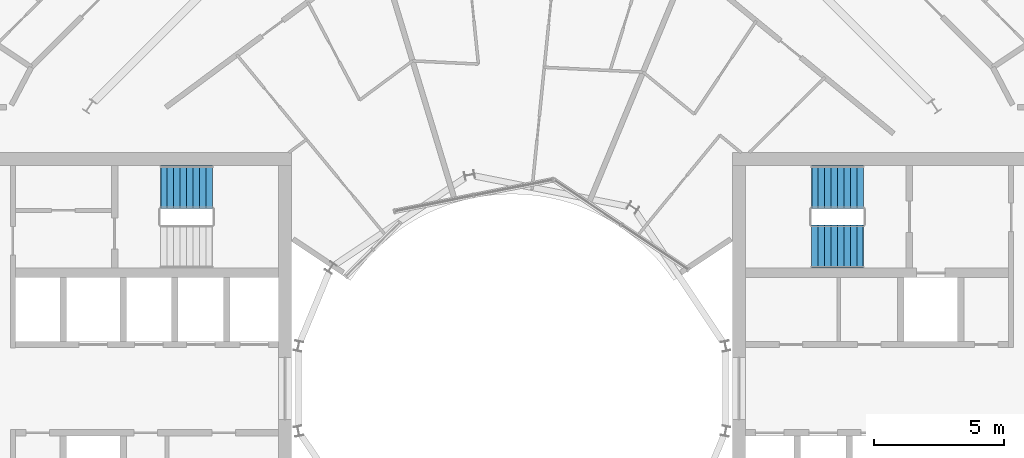
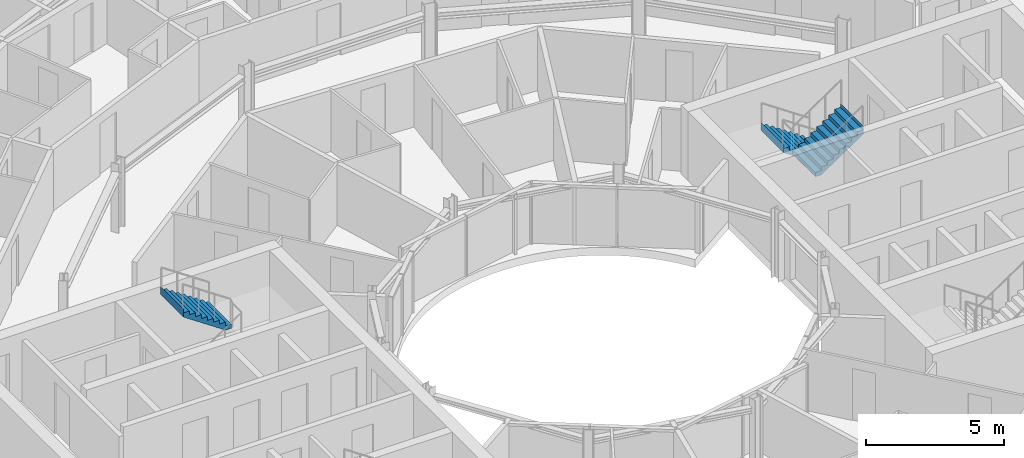
# One storey, part 25 of 27: 3 stair flights, 2 elements without a shape of their own.
"""IFC4 building model written with IfcOpenShell, lengths in metres."""

from ifc_helpers import new_model, si_unit, direction, frame, origin, place, context, subcontext, project, spatial, triangles, material, type_object, element, aggregate, save


model = new_model("IFC4")

# Units and contexts
model_context = context("Model", 3, precision=1e-05, world=origin(), true_north=direction((0.0, 1.0)))
body_context = subcontext(model_context, "Body", "Model", "MODEL_VIEW")
ifc_project = project(units=[si_unit("LENGTHUNIT", "METRE"), si_unit("AREAUNIT", "SQUARE_METRE"), si_unit("VOLUMEUNIT", "CUBIC_METRE"), si_unit("PLANEANGLEUNIT", "RADIAN"), si_unit("MASSUNIT", "GRAM", prefix="KILO")], contexts=[model_context])

# Site, building, storey
site_placement = place(None, origin())
site = spatial("IfcSite", under=ifc_project, at=site_placement, CompositionType="ELEMENT")
building_placement = place(site_placement, origin())
building = spatial("IfcBuilding", under=site, at=building_placement, Name="Maasbend Ring Residences", CompositionType="ELEMENT")
storey_placement = place(building_placement, frame((0.0, 0.0, 170.75)))
storey = spatial("IfcBuildingStorey", under=building, at=storey_placement, Name="L49", CompositionType="ELEMENT", Elevation=170.75)

# Stair, stair flights
ifc_material_1 = material(Name="Concrete C40/50", Category="concrete")
stair_type = type_object("IfcStairType", Name="CORE STAIR 18 RISERS", PredefinedType="HALF_TURN_STAIR", material=ifc_material_1)
stair_1_placement = place(storey_placement, origin())
stair_1 = element("IfcStair", 1, at=stair_1_placement, inside=storey, type_object=stair_type, Name="L49 Exit stair ST-E1", PredefinedType="HALF_TURN_STAIR")
ifc_material_2 = material(Name="Concrete C40/50", Category="concrete")
stair_flight_type = type_object("IfcStairFlightType", Name="CORE STAIR FLIGHT 1650", PredefinedType="STRAIGHT", material=ifc_material_2)
stair_flight_1_placement = place(storey_placement, frame((13.550048828125, 7.77490234375, 0.0), z_axis=(0.0, 0.0, 1.0), x_axis=(-1.0, 0.0, 0.0)))
stair_flight_1 = element("IfcStairFlight", 2, at=stair_flight_1_placement, type_object=stair_flight_type, Name="ST-E1 flight 1", NumberOfRisers=9, NumberOfTreads=8, PredefinedType="STRAIGHT", RiserHeight=0.169444444, TreadLength=0.25, context=body_context, shape_type="Tessellation", body=[
    triangles([(0.24072265625, 0.824951171875, -0.02001953125), (2.0029296875, 0.824951171875, 1.174560546875), (2.0029296875, 0.824951171875, 1.52490234375), (1.989990234375, 0.824951171875, 1.35546875), (1.75, 0.824951171875, 1.35546875), (1.75, 0.824951171875, 1.18603515625), (1.5, 0.824951171875, 1.18603515625), (1.5, 0.824951171875, 1.0166015625), (1.25, 0.824951171875, 1.0166015625), (1.25, 0.824951171875, 0.84716796875), (1.0, 0.824951171875, 0.84716796875), (1.0, 0.824951171875, 0.677734375), (0.75, 0.824951171875, 0.677734375), (0.75, 0.824951171875, 0.50830078125), (0.5, 0.824951171875, 0.50830078125), (0.5, 0.824951171875, 0.3388671875), (0.25, 0.824951171875, 0.3388671875), (0.25, 0.824951171875, 0.16943359375), (0.0, 0.824951171875, 0.16943359375), (0.0, 0.824951171875, 0.0), (-0.0029296875, 0.824951171875, 0.0), (-0.0029296875, 0.824951171875, -0.02001953125), (0.24072265625, 0.27490234375, -0.02001953125), (2.0029296875, 0.27490234375, 1.174560546875), (2.0029296875, 0.27490234375, 1.52490234375), (1.989990234375, 0.27490234375, 1.35546875), (1.75, 0.27490234375, 1.35546875), (1.75, 0.27490234375, 1.18603515625), (1.5, 0.27490234375, 1.18603515625), (1.5, 0.27490234375, 1.0166015625), (1.25, 0.27490234375, 1.0166015625), (1.25, 0.27490234375, 0.84716796875), (1.0, 0.27490234375, 0.84716796875), (1.0, 0.27490234375, 0.677734375), (0.75, 0.27490234375, 0.677734375), (0.75, 0.27490234375, 0.50830078125), (0.5, 0.27490234375, 0.50830078125), (0.5, 0.27490234375, 0.3388671875), (0.25, 0.27490234375, 0.3388671875), (0.25, 0.27490234375, 0.16943359375), (0.0, 0.27490234375, 0.16943359375), (0.0, 0.27490234375, 0.0), (-0.0029296875, 0.27490234375, 0.0), (-0.0029296875, 0.27490234375, -0.02001953125), (0.24072265625, -0.27490234375, -0.02001953125), (2.0029296875, -0.27490234375, 1.174560546875), (2.0029296875, -0.27490234375, 1.52490234375), (1.989990234375, -0.27490234375, 1.35546875), (1.75, -0.27490234375, 1.35546875), (1.75, -0.27490234375, 1.18603515625), (1.5, -0.27490234375, 1.18603515625), (1.5, -0.27490234375, 1.0166015625), (1.25, -0.27490234375, 1.0166015625), (1.25, -0.27490234375, 0.84716796875), (1.0, -0.27490234375, 0.84716796875), (1.0, -0.27490234375, 0.677734375), (0.75, -0.27490234375, 0.677734375), (0.75, -0.27490234375, 0.50830078125), (0.5, -0.27490234375, 0.50830078125), (0.5, -0.27490234375, 0.3388671875), (0.25, -0.27490234375, 0.3388671875), (0.25, -0.27490234375, 0.16943359375), (0.0, -0.27490234375, 0.16943359375), (0.0, -0.27490234375, 0.0), (-0.0029296875, -0.27490234375, 0.0), (-0.0029296875, -0.27490234375, -0.02001953125), (0.24072265625, -0.824951171875, -0.02001953125), (2.0029296875, -0.824951171875, 1.174560546875), (2.0029296875, -0.824951171875, 1.52490234375), (1.989990234375, -0.824951171875, 1.35546875), (1.75, -0.824951171875, 1.35546875), (1.75, -0.824951171875, 1.18603515625), (1.5, -0.824951171875, 1.18603515625), (1.5, -0.824951171875, 1.0166015625), (1.25, -0.824951171875, 1.0166015625), (1.25, -0.824951171875, 0.84716796875), (1.0, -0.824951171875, 0.84716796875), (1.0, -0.824951171875, 0.677734375), (0.75, -0.824951171875, 0.677734375), (0.75, -0.824951171875, 0.50830078125), (0.5, -0.824951171875, 0.50830078125), (0.5, -0.824951171875, 0.3388671875), (0.25, -0.824951171875, 0.3388671875), (0.25, -0.824951171875, 0.16943359375), (0.0, -0.824951171875, 0.16943359375), (0.0, -0.824951171875, 0.0), (-0.0029296875, -0.824951171875, 0.0), (-0.0029296875, -0.824951171875, -0.02001953125)], [[1, 2, 24], [1, 24, 23], [23, 24, 46], [23, 46, 45], [45, 46, 68], [45, 68, 67], [2, 3, 25], [2, 25, 24], [24, 25, 47], [24, 47, 46], [46, 47, 69], [46, 69, 68], [3, 4, 26], [3, 26, 25], [25, 26, 48], [25, 48, 47], [47, 48, 70], [47, 70, 69], [4, 5, 27], [4, 27, 26], [26, 27, 49], [26, 49, 48], [48, 49, 71], [48, 71, 70], [5, 6, 28], [5, 28, 27], [27, 28, 50], [27, 50, 49], [49, 50, 72], [49, 72, 71], [6, 7, 29], [6, 29, 28], [28, 29, 51], [28, 51, 50], [50, 51, 73], [50, 73, 72], [7, 8, 30], [7, 30, 29], [29, 30, 52], [29, 52, 51], [51, 52, 74], [51, 74, 73], [8, 9, 31], [8, 31, 30], [30, 31, 53], [30, 53, 52], [52, 53, 75], [52, 75, 74], [9, 10, 32], [9, 32, 31], [31, 32, 54], [31, 54, 53], [53, 54, 76], [53, 76, 75], [10, 11, 33], [10, 33, 32], [32, 33, 55], [32, 55, 54], [54, 55, 77], [54, 77, 76], [11, 12, 34], [11, 34, 33], [33, 34, 56], [33, 56, 55], [55, 56, 78], [55, 78, 77], [12, 13, 35], [12, 35, 34], [34, 35, 57], [34, 57, 56], [56, 57, 79], [56, 79, 78], [13, 14, 36], [13, 36, 35], [35, 36, 58], [35, 58, 57], [57, 58, 80], [57, 80, 79], [14, 15, 37], [14, 37, 36], [36, 37, 59], [36, 59, 58], [58, 59, 81], [58, 81, 80], [15, 16, 38], [15, 38, 37], [37, 38, 60], [37, 60, 59], [59, 60, 82], [59, 82, 81], [16, 17, 39], [16, 39, 38], [38, 39, 61], [38, 61, 60], [60, 61, 83], [60, 83, 82], [17, 18, 40], [17, 40, 39], [39, 40, 62], [39, 62, 61], [61, 62, 84], [61, 84, 83], [18, 19, 41], [18, 41, 40], [40, 41, 63], [40, 63, 62], [62, 63, 85], [62, 85, 84], [19, 20, 42], [19, 42, 41], [41, 42, 64], [41, 64, 63], [63, 64, 86], [63, 86, 85], [20, 21, 43], [20, 43, 42], [42, 43, 65], [42, 65, 64], [64, 65, 87], [64, 87, 86], [21, 22, 44], [21, 44, 43], [43, 44, 66], [43, 66, 65], [65, 66, 88], [65, 88, 87], [22, 1, 23], [22, 23, 44], [44, 23, 45], [44, 45, 66], [66, 45, 67], [66, 67, 88], [22, 2, 1], [2, 4, 3], [2, 5, 4], [2, 6, 5], [22, 6, 2], [6, 8, 7], [22, 8, 6], [8, 10, 9], [22, 10, 8], [10, 12, 11], [22, 12, 10], [12, 14, 13], [22, 14, 12], [14, 16, 15], [22, 16, 14], [16, 18, 17], [22, 18, 16], [18, 20, 19], [22, 20, 18], [20, 22, 21], [88, 67, 68], [68, 69, 70], [68, 70, 71], [68, 71, 72], [88, 68, 72], [72, 73, 74], [88, 72, 74], [74, 75, 76], [88, 74, 76], [76, 77, 78], [88, 76, 78], [78, 79, 80], [88, 78, 80], [80, 81, 82], [88, 80, 82], [82, 83, 84], [88, 82, 84], [84, 85, 86], [88, 84, 86], [86, 87, 88]], closed=True),
])
stair_flight_2_placement = place(storey_placement, frame((11.550048828125, 5.47509765625, 1.52490234375), z_axis=(0.0, 0.0, 1.0), x_axis=(1.0, 0.0, 0.0)))
stair_flight_2 = element("IfcStairFlight", 3, at=stair_flight_2_placement, type_object=stair_flight_type, Name="ST-E1 flight 2", NumberOfRisers=9, NumberOfTreads=8, PredefinedType="STRAIGHT", RiserHeight=0.169444444, TreadLength=0.25, context=body_context, shape_type="Tessellation", body=[
    triangles([(0.24072265625, 0.824951171875, -0.02001953125), (2.0029296875, 0.824951171875, 1.174560546875), (2.0029296875, 0.824951171875, 1.52490234375), (1.989990234375, 0.824951171875, 1.35546875), (1.75, 0.824951171875, 1.35546875), (1.75, 0.824951171875, 1.18603515625), (1.5, 0.824951171875, 1.18603515625), (1.5, 0.824951171875, 1.0166015625), (1.25, 0.824951171875, 1.0166015625), (1.25, 0.824951171875, 0.84716796875), (1.0, 0.824951171875, 0.84716796875), (1.0, 0.824951171875, 0.677734375), (0.75, 0.824951171875, 0.677734375), (0.75, 0.824951171875, 0.50830078125), (0.5, 0.824951171875, 0.50830078125), (0.5, 0.824951171875, 0.3388671875), (0.25, 0.824951171875, 0.3388671875), (0.25, 0.824951171875, 0.16943359375), (0.0, 0.824951171875, 0.16943359375), (0.0, 0.824951171875, 0.0), (-0.0029296875, 0.824951171875, 0.0), (-0.0029296875, 0.824951171875, -0.02001953125), (0.24072265625, 0.27490234375, -0.02001953125), (2.0029296875, 0.27490234375, 1.174560546875), (2.0029296875, 0.27490234375, 1.52490234375), (1.989990234375, 0.27490234375, 1.35546875), (1.75, 0.27490234375, 1.35546875), (1.75, 0.27490234375, 1.18603515625), (1.5, 0.27490234375, 1.18603515625), (1.5, 0.27490234375, 1.0166015625), (1.25, 0.27490234375, 1.0166015625), (1.25, 0.27490234375, 0.84716796875), (1.0, 0.27490234375, 0.84716796875), (1.0, 0.27490234375, 0.677734375), (0.75, 0.27490234375, 0.677734375), (0.75, 0.27490234375, 0.50830078125), (0.5, 0.27490234375, 0.50830078125), (0.5, 0.27490234375, 0.3388671875), (0.25, 0.27490234375, 0.3388671875), (0.25, 0.27490234375, 0.16943359375), (0.0, 0.27490234375, 0.16943359375), (0.0, 0.27490234375, 0.0), (-0.0029296875, 0.27490234375, 0.0), (-0.0029296875, 0.27490234375, -0.02001953125), (0.24072265625, -0.27490234375, -0.02001953125), (2.0029296875, -0.27490234375, 1.174560546875), (2.0029296875, -0.27490234375, 1.52490234375), (1.989990234375, -0.27490234375, 1.35546875), (1.75, -0.27490234375, 1.35546875), (1.75, -0.27490234375, 1.18603515625), (1.5, -0.27490234375, 1.18603515625), (1.5, -0.27490234375, 1.0166015625), (1.25, -0.27490234375, 1.0166015625), (1.25, -0.27490234375, 0.84716796875), (1.0, -0.27490234375, 0.84716796875), (1.0, -0.27490234375, 0.677734375), (0.75, -0.27490234375, 0.677734375), (0.75, -0.27490234375, 0.50830078125), (0.5, -0.27490234375, 0.50830078125), (0.5, -0.27490234375, 0.3388671875), (0.25, -0.27490234375, 0.3388671875), (0.25, -0.27490234375, 0.16943359375), (0.0, -0.27490234375, 0.16943359375), (0.0, -0.27490234375, 0.0), (-0.0029296875, -0.27490234375, 0.0), (-0.0029296875, -0.27490234375, -0.02001953125), (0.24072265625, -0.824951171875, -0.02001953125), (2.0029296875, -0.824951171875, 1.174560546875), (2.0029296875, -0.824951171875, 1.52490234375), (1.989990234375, -0.824951171875, 1.35546875), (1.75, -0.824951171875, 1.35546875), (1.75, -0.824951171875, 1.18603515625), (1.5, -0.824951171875, 1.18603515625), (1.5, -0.824951171875, 1.0166015625), (1.25, -0.824951171875, 1.0166015625), (1.25, -0.824951171875, 0.84716796875), (1.0, -0.824951171875, 0.84716796875), (1.0, -0.824951171875, 0.677734375), (0.75, -0.824951171875, 0.677734375), (0.75, -0.824951171875, 0.50830078125), (0.5, -0.824951171875, 0.50830078125), (0.5, -0.824951171875, 0.3388671875), (0.25, -0.824951171875, 0.3388671875), (0.25, -0.824951171875, 0.16943359375), (0.0, -0.824951171875, 0.16943359375), (0.0, -0.824951171875, 0.0), (-0.0029296875, -0.824951171875, 0.0), (-0.0029296875, -0.824951171875, -0.02001953125)], [[1, 2, 24], [1, 24, 23], [23, 24, 46], [23, 46, 45], [45, 46, 68], [45, 68, 67], [2, 3, 25], [2, 25, 24], [24, 25, 47], [24, 47, 46], [46, 47, 69], [46, 69, 68], [3, 4, 26], [3, 26, 25], [25, 26, 48], [25, 48, 47], [47, 48, 70], [47, 70, 69], [4, 5, 27], [4, 27, 26], [26, 27, 49], [26, 49, 48], [48, 49, 71], [48, 71, 70], [5, 6, 28], [5, 28, 27], [27, 28, 50], [27, 50, 49], [49, 50, 72], [49, 72, 71], [6, 7, 29], [6, 29, 28], [28, 29, 51], [28, 51, 50], [50, 51, 73], [50, 73, 72], [7, 8, 30], [7, 30, 29], [29, 30, 52], [29, 52, 51], [51, 52, 74], [51, 74, 73], [8, 9, 31], [8, 31, 30], [30, 31, 53], [30, 53, 52], [52, 53, 75], [52, 75, 74], [9, 10, 32], [9, 32, 31], [31, 32, 54], [31, 54, 53], [53, 54, 76], [53, 76, 75], [10, 11, 33], [10, 33, 32], [32, 33, 55], [32, 55, 54], [54, 55, 77], [54, 77, 76], [11, 12, 34], [11, 34, 33], [33, 34, 56], [33, 56, 55], [55, 56, 78], [55, 78, 77], [12, 13, 35], [12, 35, 34], [34, 35, 57], [34, 57, 56], [56, 57, 79], [56, 79, 78], [13, 14, 36], [13, 36, 35], [35, 36, 58], [35, 58, 57], [57, 58, 80], [57, 80, 79], [14, 15, 37], [14, 37, 36], [36, 37, 59], [36, 59, 58], [58, 59, 81], [58, 81, 80], [15, 16, 38], [15, 38, 37], [37, 38, 60], [37, 60, 59], [59, 60, 82], [59, 82, 81], [16, 17, 39], [16, 39, 38], [38, 39, 61], [38, 61, 60], [60, 61, 83], [60, 83, 82], [17, 18, 40], [17, 40, 39], [39, 40, 62], [39, 62, 61], [61, 62, 84], [61, 84, 83], [18, 19, 41], [18, 41, 40], [40, 41, 63], [40, 63, 62], [62, 63, 85], [62, 85, 84], [19, 20, 42], [19, 42, 41], [41, 42, 64], [41, 64, 63], [63, 64, 86], [63, 86, 85], [20, 21, 43], [20, 43, 42], [42, 43, 65], [42, 65, 64], [64, 65, 87], [64, 87, 86], [21, 22, 44], [21, 44, 43], [43, 44, 66], [43, 66, 65], [65, 66, 88], [65, 88, 87], [22, 1, 23], [22, 23, 44], [44, 23, 45], [44, 45, 66], [66, 45, 67], [66, 67, 88], [22, 2, 1], [2, 4, 3], [2, 5, 4], [2, 6, 5], [22, 6, 2], [6, 8, 7], [22, 8, 6], [8, 10, 9], [22, 10, 8], [10, 12, 11], [22, 12, 10], [12, 14, 13], [22, 14, 12], [14, 16, 15], [22, 16, 14], [16, 18, 17], [22, 18, 16], [18, 20, 19], [22, 20, 18], [20, 22, 21], [88, 67, 68], [68, 69, 70], [68, 70, 71], [68, 71, 72], [88, 68, 72], [72, 73, 74], [88, 72, 74], [74, 75, 76], [88, 74, 76], [76, 77, 78], [88, 76, 78], [78, 79, 80], [88, 78, 80], [80, 81, 82], [88, 80, 82], [82, 83, 84], [88, 82, 84], [84, 85, 86], [88, 84, 86], [86, 87, 88]], closed=True),
])
aggregate(stair_1, [stair_flight_1, stair_flight_2])

# Stair, stair flight
stair_2_placement = place(storey_placement, origin())
stair_2 = element("IfcStair", 4, at=stair_2_placement, inside=storey, type_object=stair_type, Name="L49 Exit stair ST-W2", PredefinedType="HALF_TURN_STAIR")
stair_flight_3_placement = place(storey_placement, frame((-11.550048828125, 7.77490234375, 1.52490234375), z_axis=(0.0, 0.0, 1.0), x_axis=(-1.0, 0.0, 0.0)))
stair_flight_3 = element("IfcStairFlight", 5, at=stair_flight_3_placement, type_object=stair_flight_type, Name="ST-W2 flight 2", NumberOfRisers=9, NumberOfTreads=8, PredefinedType="STRAIGHT", RiserHeight=0.169444444, TreadLength=0.25, context=body_context, shape_type="Tessellation", body=[
    triangles([(0.24072265625, 0.824951171875, -0.02001953125), (2.0029296875, 0.824951171875, 1.174560546875), (2.0029296875, 0.824951171875, 1.52490234375), (1.989990234375, 0.824951171875, 1.35546875), (1.75, 0.824951171875, 1.35546875), (1.75, 0.824951171875, 1.18603515625), (1.5, 0.824951171875, 1.18603515625), (1.5, 0.824951171875, 1.0166015625), (1.25, 0.824951171875, 1.0166015625), (1.25, 0.824951171875, 0.84716796875), (1.0, 0.824951171875, 0.84716796875), (1.0, 0.824951171875, 0.677734375), (0.75, 0.824951171875, 0.677734375), (0.75, 0.824951171875, 0.50830078125), (0.5, 0.824951171875, 0.50830078125), (0.5, 0.824951171875, 0.3388671875), (0.25, 0.824951171875, 0.3388671875), (0.25, 0.824951171875, 0.16943359375), (0.0, 0.824951171875, 0.16943359375), (0.0, 0.824951171875, 0.0), (-0.0029296875, 0.824951171875, 0.0), (-0.0029296875, 0.824951171875, -0.02001953125), (0.24072265625, 0.27490234375, -0.02001953125), (2.0029296875, 0.27490234375, 1.174560546875), (2.0029296875, 0.27490234375, 1.52490234375), (1.989990234375, 0.27490234375, 1.35546875), (1.75, 0.27490234375, 1.35546875), (1.75, 0.27490234375, 1.18603515625), (1.5, 0.27490234375, 1.18603515625), (1.5, 0.27490234375, 1.0166015625), (1.25, 0.27490234375, 1.0166015625), (1.25, 0.27490234375, 0.84716796875), (1.0, 0.27490234375, 0.84716796875), (1.0, 0.27490234375, 0.677734375), (0.75, 0.27490234375, 0.677734375), (0.75, 0.27490234375, 0.50830078125), (0.5, 0.27490234375, 0.50830078125), (0.5, 0.27490234375, 0.3388671875), (0.25, 0.27490234375, 0.3388671875), (0.25, 0.27490234375, 0.16943359375), (0.0, 0.27490234375, 0.16943359375), (0.0, 0.27490234375, 0.0), (-0.0029296875, 0.27490234375, 0.0), (-0.0029296875, 0.27490234375, -0.02001953125), (0.24072265625, -0.27490234375, -0.02001953125), (2.0029296875, -0.27490234375, 1.174560546875), (2.0029296875, -0.27490234375, 1.52490234375), (1.989990234375, -0.27490234375, 1.35546875), (1.75, -0.27490234375, 1.35546875), (1.75, -0.27490234375, 1.18603515625), (1.5, -0.27490234375, 1.18603515625), (1.5, -0.27490234375, 1.0166015625), (1.25, -0.27490234375, 1.0166015625), (1.25, -0.27490234375, 0.84716796875), (1.0, -0.27490234375, 0.84716796875), (1.0, -0.27490234375, 0.677734375), (0.75, -0.27490234375, 0.677734375), (0.75, -0.27490234375, 0.50830078125), (0.5, -0.27490234375, 0.50830078125), (0.5, -0.27490234375, 0.3388671875), (0.25, -0.27490234375, 0.3388671875), (0.25, -0.27490234375, 0.16943359375), (0.0, -0.27490234375, 0.16943359375), (0.0, -0.27490234375, 0.0), (-0.0029296875, -0.27490234375, 0.0), (-0.0029296875, -0.27490234375, -0.02001953125), (0.24072265625, -0.824951171875, -0.02001953125), (2.0029296875, -0.824951171875, 1.174560546875), (2.0029296875, -0.824951171875, 1.52490234375), (1.989990234375, -0.824951171875, 1.35546875), (1.75, -0.824951171875, 1.35546875), (1.75, -0.824951171875, 1.18603515625), (1.5, -0.824951171875, 1.18603515625), (1.5, -0.824951171875, 1.0166015625), (1.25, -0.824951171875, 1.0166015625), (1.25, -0.824951171875, 0.84716796875), (1.0, -0.824951171875, 0.84716796875), (1.0, -0.824951171875, 0.677734375), (0.75, -0.824951171875, 0.677734375), (0.75, -0.824951171875, 0.50830078125), (0.5, -0.824951171875, 0.50830078125), (0.5, -0.824951171875, 0.3388671875), (0.25, -0.824951171875, 0.3388671875), (0.25, -0.824951171875, 0.16943359375), (0.0, -0.824951171875, 0.16943359375), (0.0, -0.824951171875, 0.0), (-0.0029296875, -0.824951171875, 0.0), (-0.0029296875, -0.824951171875, -0.02001953125)], [[1, 2, 24], [1, 24, 23], [23, 24, 46], [23, 46, 45], [45, 46, 68], [45, 68, 67], [2, 3, 25], [2, 25, 24], [24, 25, 47], [24, 47, 46], [46, 47, 69], [46, 69, 68], [3, 4, 26], [3, 26, 25], [25, 26, 48], [25, 48, 47], [47, 48, 70], [47, 70, 69], [4, 5, 27], [4, 27, 26], [26, 27, 49], [26, 49, 48], [48, 49, 71], [48, 71, 70], [5, 6, 28], [5, 28, 27], [27, 28, 50], [27, 50, 49], [49, 50, 72], [49, 72, 71], [6, 7, 29], [6, 29, 28], [28, 29, 51], [28, 51, 50], [50, 51, 73], [50, 73, 72], [7, 8, 30], [7, 30, 29], [29, 30, 52], [29, 52, 51], [51, 52, 74], [51, 74, 73], [8, 9, 31], [8, 31, 30], [30, 31, 53], [30, 53, 52], [52, 53, 75], [52, 75, 74], [9, 10, 32], [9, 32, 31], [31, 32, 54], [31, 54, 53], [53, 54, 76], [53, 76, 75], [10, 11, 33], [10, 33, 32], [32, 33, 55], [32, 55, 54], [54, 55, 77], [54, 77, 76], [11, 12, 34], [11, 34, 33], [33, 34, 56], [33, 56, 55], [55, 56, 78], [55, 78, 77], [12, 13, 35], [12, 35, 34], [34, 35, 57], [34, 57, 56], [56, 57, 79], [56, 79, 78], [13, 14, 36], [13, 36, 35], [35, 36, 58], [35, 58, 57], [57, 58, 80], [57, 80, 79], [14, 15, 37], [14, 37, 36], [36, 37, 59], [36, 59, 58], [58, 59, 81], [58, 81, 80], [15, 16, 38], [15, 38, 37], [37, 38, 60], [37, 60, 59], [59, 60, 82], [59, 82, 81], [16, 17, 39], [16, 39, 38], [38, 39, 61], [38, 61, 60], [60, 61, 83], [60, 83, 82], [17, 18, 40], [17, 40, 39], [39, 40, 62], [39, 62, 61], [61, 62, 84], [61, 84, 83], [18, 19, 41], [18, 41, 40], [40, 41, 63], [40, 63, 62], [62, 63, 85], [62, 85, 84], [19, 20, 42], [19, 42, 41], [41, 42, 64], [41, 64, 63], [63, 64, 86], [63, 86, 85], [20, 21, 43], [20, 43, 42], [42, 43, 65], [42, 65, 64], [64, 65, 87], [64, 87, 86], [21, 22, 44], [21, 44, 43], [43, 44, 66], [43, 66, 65], [65, 66, 88], [65, 88, 87], [22, 1, 23], [22, 23, 44], [44, 23, 45], [44, 45, 66], [66, 45, 67], [66, 67, 88], [22, 2, 1], [2, 4, 3], [2, 5, 4], [2, 6, 5], [22, 6, 2], [6, 8, 7], [22, 8, 6], [8, 10, 9], [22, 10, 8], [10, 12, 11], [22, 12, 10], [12, 14, 13], [22, 14, 12], [14, 16, 15], [22, 16, 14], [16, 18, 17], [22, 18, 16], [18, 20, 19], [22, 20, 18], [20, 22, 21], [88, 67, 68], [68, 69, 70], [68, 70, 71], [68, 71, 72], [88, 68, 72], [72, 73, 74], [88, 72, 74], [74, 75, 76], [88, 74, 76], [76, 77, 78], [88, 76, 78], [78, 79, 80], [88, 78, 80], [80, 81, 82], [88, 80, 82], [82, 83, 84], [88, 82, 84], [84, 85, 86], [88, 84, 86], [86, 87, 88]], closed=True),
])
aggregate(stair_2, [stair_flight_3])

save(model, "model.ifc")
